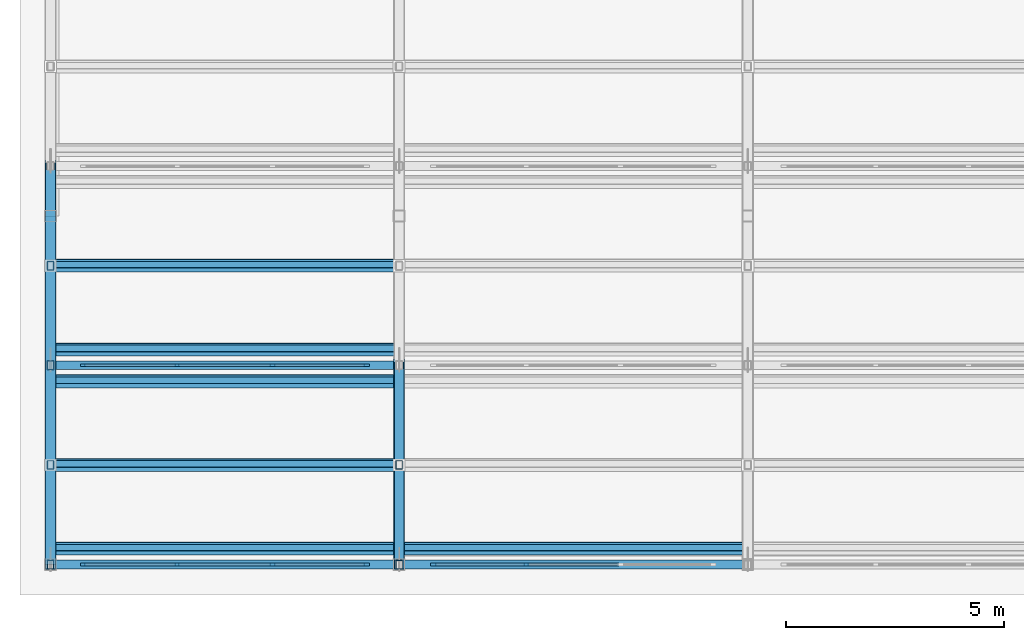
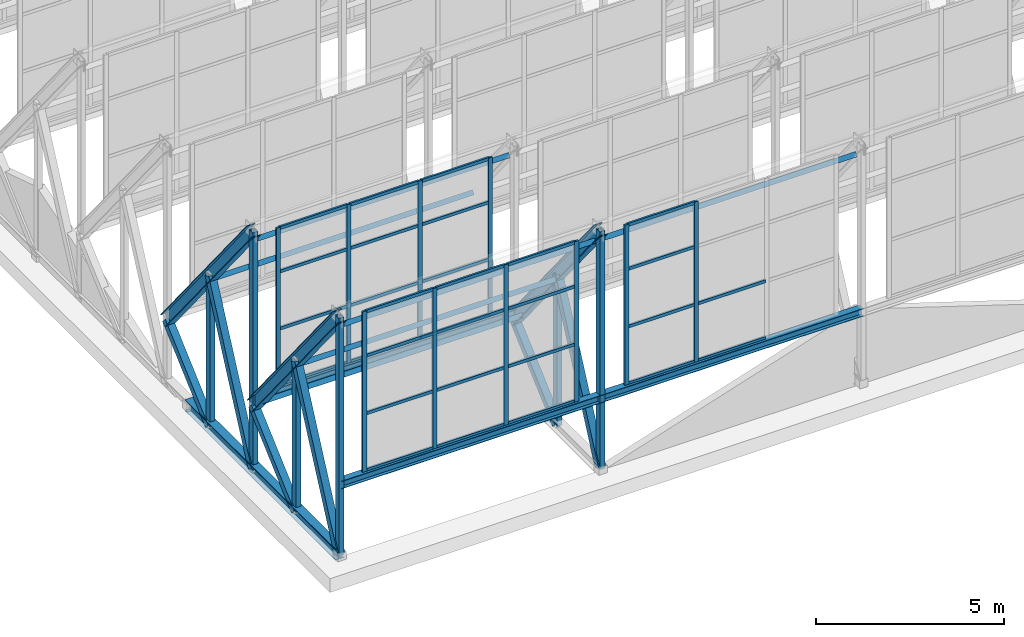
# One storey, part 6 of 34: 61 members, 4 beams, 3 elements without a shape of their own.
"""IFC4 building model written with IfcOpenShell, lengths in metres."""

from ifc_helpers import new_model, si_unit, direction, frame, origin, origin_2d, place, context, subcontext, project, spatial, rectangle, hollow_rectangle, i_section, extrude, material, layer, layer_set, material_profile, profile_set, type_object, element, aggregate, save


model = new_model("IFC4")

# Units and contexts
model_context = context("Model", 3, precision=1e-05, world=origin(), true_north=direction((0.0, 1.0)))
body_context = subcontext(model_context, "Body", "Model", "MODEL_VIEW")
ifc_project = project(units=[si_unit("LENGTHUNIT", "METRE"), si_unit("AREAUNIT", "SQUARE_METRE"), si_unit("VOLUMEUNIT", "CUBIC_METRE"), si_unit("PLANEANGLEUNIT", "RADIAN"), si_unit("MASSUNIT", "GRAM", prefix="KILO")], contexts=[model_context])

# Site, building, storey
site_placement = place(None, origin())
site = spatial("IfcSite", under=ifc_project, at=site_placement, CompositionType="ELEMENT")
building_placement = place(site_placement, origin())
building = spatial("IfcBuilding", under=site, at=building_placement, Name="Qorikala Patio Media Centre", CompositionType="ELEMENT")
storey_placement = place(building_placement, frame((0.0, 0.0, 32.699951171875)))
storey = spatial("IfcBuildingStorey", under=building, at=storey_placement, Name="RF", CompositionType="ELEMENT", Elevation=32.699951171875)

# Members
ifc_material_1 = material(Name="Steel S355", Category="steel")
ifc_material_profile_1 = material_profile(ifc_material_1, hollow_rectangle(XDim=0.219970703125, YDim=0.219970703125, WallThickness=0.010009765625, at=origin_2d()), Name="HSS220X220X10")
ifc_profile_set_1 = profile_set([ifc_material_profile_1], Name="Steel S355")
member_type_1 = type_object("IfcMemberType", Name="BRACE-HSS220", PredefinedType="BRACE", material=ifc_profile_set_1)
member_1_placement = place(storey_placement, frame((3.0, 3.0, 0.35009765625), z_axis=(0.0, 0.424508225487, 0.905424081022), x_axis=(-1.0, 0.0, 0.0)))
element("IfcMember", 1, at=member_1_placement, inside=storey, type_object=member_type_1, Name="SAW-V1 Truss 1 Bay 1 Web Diagonal 1", PredefinedType="BRACE", context=body_context, shape_type="SweptSolid", body=[
    extrude(hollow_rectangle(XDim=0.219970703125, YDim=0.219970703125, WallThickness=0.010009765625, at=origin_2d()), origin(), (0.0, 0.0, 1.0), 5.38427734375),
])
member_2_placement = place(storey_placement, frame((3.0, 5.28564453125, 0.35009765625), z_axis=(0.0, 0.744431778243, 0.667698530432), x_axis=(-1.0, 0.0, 0.0)))
element("IfcMember", 2, at=member_2_placement, inside=storey, type_object=member_type_1, Name="SAW-V1 Truss 1 Bay 1 Web Diagonal 2", PredefinedType="BRACE", context=body_context, shape_type="SweptSolid", body=[
    extrude(hollow_rectangle(XDim=0.219970703125, YDim=0.219970703125, WallThickness=0.010009765625, at=origin_2d()), origin(), (0.0, 0.0, 1.0), 3.0703125),
])
member_3_placement = place(storey_placement, frame((3.0, 7.5712890625, 0.35009765625), z_axis=(0.0, 0.424545396895, 0.90540665227), x_axis=(-1.0, 0.0, 0.0)))
element("IfcMember", 3, at=member_3_placement, inside=storey, type_object=member_type_1, Name="SAW-V1 Truss 1 Bay 2 Web Diagonal 1", PredefinedType="BRACE", context=body_context, shape_type="SweptSolid", body=[
    extrude(hollow_rectangle(XDim=0.219970703125, YDim=0.219970703125, WallThickness=0.010009765625, at=origin_2d()), origin(), (0.0, 0.0, 1.0), 5.38427734375),
])
member_4_placement = place(storey_placement, frame((3.0, 9.857177734375, 0.35009765625), z_axis=(0.0, 0.744431778243, 0.667698530432), x_axis=(-1.0, 0.0, 0.0)))
element("IfcMember", 4, at=member_4_placement, inside=storey, type_object=member_type_1, Name="SAW-V1 Truss 1 Bay 2 Web Diagonal 2", PredefinedType="BRACE", context=body_context, shape_type="SweptSolid", body=[
    extrude(hollow_rectangle(XDim=0.219970703125, YDim=0.219970703125, WallThickness=0.010009765625, at=origin_2d()), origin(), (0.0, 0.0, 1.0), 3.0703125),
])
member_5_placement = place(storey_placement, frame((11.0, 3.0, 0.35009765625), z_axis=(0.0, 0.424508225487, 0.905424081022), x_axis=(-1.0, 0.0, 0.0)))
element("IfcMember", 5, at=member_5_placement, inside=storey, type_object=member_type_1, Name="SAW-V1 Truss 2 Bay 1 Web Diagonal 1", PredefinedType="BRACE", context=body_context, shape_type="SweptSolid", body=[
    extrude(hollow_rectangle(XDim=0.219970703125, YDim=0.219970703125, WallThickness=0.010009765625, at=origin_2d()), origin(), (0.0, 0.0, 1.0), 5.38427734375),
])
member_6_placement = place(storey_placement, frame((11.0, 5.28564453125, 0.35009765625), z_axis=(0.0, 0.744431778243, 0.667698530432), x_axis=(-1.0, 0.0, 0.0)))
element("IfcMember", 6, at=member_6_placement, inside=storey, type_object=member_type_1, Name="SAW-V1 Truss 2 Bay 1 Web Diagonal 2", PredefinedType="BRACE", context=body_context, shape_type="SweptSolid", body=[
    extrude(hollow_rectangle(XDim=0.219970703125, YDim=0.219970703125, WallThickness=0.010009765625, at=origin_2d()), origin(), (0.0, 0.0, 1.0), 3.0703125),
])
ifc_material_profile_2 = material_profile(ifc_material_1, i_section(OverallWidth=0.257080078125, OverallDepth=0.363037109375, WebThickness=0.012939453125, FlangeThickness=0.021728515625, at=origin_2d()), Name="W360X122")
ifc_profile_set_2 = profile_set([ifc_material_profile_2], Name="Steel S355")
member_type_2 = type_object("IfcMemberType", Name="CHORD-W360X122", PredefinedType="CHORD", material=ifc_profile_set_2)
member_7_placement = place(storey_placement, frame((3.0, 3.0, 8.050048828125), z_axis=(0.0, 0.628995268707, -0.777409127773), x_axis=(-1.0, 0.0, 0.0)))
element("IfcMember", 7, at=member_7_placement, inside=storey, type_object=member_type_2, Name="SAW-V1 Truss 1 Bay 1 Sloped Top Chord", PredefinedType="CHORD", context=body_context, shape_type="SweptSolid", body=[
    extrude(i_section(OverallWidth=0.257080078125, OverallDepth=0.363037109375, WebThickness=0.012939453125, FlangeThickness=0.021728515625, at=origin_2d()), origin(), (0.0, 0.0, 1.0), 7.267578125),
])
member_8_placement = place(storey_placement, frame((3.0, 7.5712890625, 8.050048828125), z_axis=(0.0, 0.629015570493, -0.777392701327), x_axis=(-1.0, 0.0, 0.0)))
element("IfcMember", 8, at=member_8_placement, inside=storey, type_object=member_type_2, Name="SAW-V1 Truss 1 Bay 2 Sloped Top Chord", PredefinedType="CHORD", context=body_context, shape_type="SweptSolid", body=[
    extrude(i_section(OverallWidth=0.257080078125, OverallDepth=0.363037109375, WebThickness=0.012939453125, FlangeThickness=0.021728515625, at=origin_2d()), origin(), (0.0, 0.0, 1.0), 7.267822265625),
])
member_9_placement = place(storey_placement, frame((11.0, 3.0, 8.050048828125), z_axis=(0.0, 0.628995268707, -0.777409127773), x_axis=(-1.0, 0.0, 0.0)))
element("IfcMember", 9, at=member_9_placement, inside=storey, type_object=member_type_2, Name="SAW-V1 Truss 2 Bay 1 Sloped Top Chord", PredefinedType="CHORD", context=body_context, shape_type="SweptSolid", body=[
    extrude(i_section(OverallWidth=0.257080078125, OverallDepth=0.363037109375, WebThickness=0.012939453125, FlangeThickness=0.021728515625, at=origin_2d()), origin(), (0.0, 0.0, 1.0), 7.267578125),
])

# Curtain wall, members
ifc_material_2 = material(Name="Bronze Anodised Aluminium and Low-E Glass", Category="aluminium")
ifc_layer_1 = layer(ifc_material_2, 0.159912109375)
ifc_layer_set_1 = layer_set([ifc_layer_1], Name="Bronze Anodised Aluminium and Low-E Glass")
curtain_wall_type_1 = type_object("IfcCurtainWallType", Name="CW-SAW-656X520", PredefinedType="USERDEFINED", material=ifc_layer_set_1)
curtain_wall_1_placement = place(storey_placement, origin())
curtain_wall_1 = element("IfcCurtainWall", 10, at=curtain_wall_1_placement, inside=storey, type_object=curtain_wall_type_1, Name="RF Sawtooth Glazing 107", ObjectType="SAWTOOTH GLAZING", PredefinedType="USERDEFINED")
ifc_material_3 = material(Name="Bronze Anodised Aluminium", Category="aluminium")
ifc_material_profile_3 = material_profile(ifc_material_3, rectangle(XDim=0.06005859375, YDim=0.1298828125, at=origin_2d()), Name="ALU MULLION 60x130")
ifc_profile_set_3 = profile_set([ifc_material_profile_3], Name="Bronze Anodised Aluminium")
member_type_3 = type_object("IfcMemberType", Name="CWM-60X130", PredefinedType="MULLION", material=ifc_profile_set_3)
member_10_placement = place(storey_placement, frame((3.75, 3.0, 2.75), z_axis=(0.0, 0.0, 1.0), x_axis=(0.0, 1.0, 0.0)))
member_10 = element("IfcMember", 11, at=member_10_placement, type_object=member_type_3, Name="CWS656520 mullion 1", PredefinedType="MULLION", context=body_context, shape_type="SweptSolid", body=[
    extrude(rectangle(XDim=0.06005859375, YDim=0.1298828125, at=origin_2d()), origin(), (0.0, 0.0, 1.0), 5.199951171875),
])
member_11_placement = place(storey_placement, frame((5.90673828125, 3.0, 2.75), z_axis=(0.0, 0.0, 1.0), x_axis=(0.0, 1.0, 0.0)))
member_11 = element("IfcMember", 12, at=member_11_placement, type_object=member_type_3, Name="CWS656520 mullion 2", PredefinedType="MULLION", context=body_context, shape_type="SweptSolid", body=[
    extrude(rectangle(XDim=0.06005859375, YDim=0.1298828125, at=origin_2d()), origin(), (0.0, 0.0, 1.0), 5.199951171875),
])
member_12_placement = place(storey_placement, frame((8.09326171875, 3.0, 2.75), z_axis=(0.0, 0.0, 1.0), x_axis=(0.0, 1.0, 0.0)))
member_12 = element("IfcMember", 13, at=member_12_placement, type_object=member_type_3, Name="CWS656520 mullion 3", PredefinedType="MULLION", context=body_context, shape_type="SweptSolid", body=[
    extrude(rectangle(XDim=0.06005859375, YDim=0.1298828125, at=origin_2d()), origin(), (0.0, 0.0, 1.0), 5.199951171875),
])
member_13_placement = place(storey_placement, frame((10.25, 3.0, 2.75), z_axis=(0.0, 0.0, 1.0), x_axis=(0.0, 1.0, 0.0)))
member_13 = element("IfcMember", 14, at=member_13_placement, type_object=member_type_3, Name="CWS656520 mullion 4", PredefinedType="MULLION", context=body_context, shape_type="SweptSolid", body=[
    extrude(rectangle(XDim=0.06005859375, YDim=0.1298828125, at=origin_2d()), origin(), (0.0, 0.0, 1.0), 5.199951171875),
])

ifc_layer_2 = layer(ifc_material_2, 0.159912109375)
ifc_layer_set_2 = layer_set([ifc_layer_2], Name="Bronze Anodised Aluminium and Low-E Glass")
curtain_wall_type_2 = type_object("IfcCurtainWallType", Name="CW-SAW-648X520", PredefinedType="USERDEFINED", material=ifc_layer_set_2)
curtain_wall_2_placement = place(storey_placement, origin())
curtain_wall_2 = element("IfcCurtainWall", 15, at=curtain_wall_2_placement, inside=storey, type_object=curtain_wall_type_2, Name="RF Sawtooth Glazing 108", ObjectType="SAWTOOTH GLAZING", PredefinedType="USERDEFINED")
member_14_placement = place(storey_placement, frame((11.7900390625, 3.0, 2.75), z_axis=(0.0, 0.0, 1.0), x_axis=(0.0, 1.0, 0.0)))
member_14 = element("IfcMember", 16, at=member_14_placement, type_object=member_type_3, Name="CWS648520 mullion 1", PredefinedType="MULLION", context=body_context, shape_type="SweptSolid", body=[
    extrude(rectangle(XDim=0.06005859375, YDim=0.1298828125, at=origin_2d()), origin(), (0.0, 0.0, 1.0), 5.199951171875),
])
member_15_placement = place(storey_placement, frame((13.919921875, 3.0, 2.75), z_axis=(0.0, 0.0, 1.0), x_axis=(0.0, 1.0, 0.0)))
member_15 = element("IfcMember", 17, at=member_15_placement, type_object=member_type_3, Name="CWS648520 mullion 2", PredefinedType="MULLION", context=body_context, shape_type="SweptSolid", body=[
    extrude(rectangle(XDim=0.06005859375, YDim=0.1298828125, at=origin_2d()), origin(), (0.0, 0.0, 1.0), 5.199951171875),
])

ifc_layer_3 = layer(ifc_material_2, 0.159912109375)
ifc_layer_set_3 = layer_set([ifc_layer_3], Name="Bronze Anodised Aluminium and Low-E Glass")
curtain_wall_type_3 = type_object("IfcCurtainWallType", Name="CW-SAW-656X514", PredefinedType="USERDEFINED", material=ifc_layer_set_3)
curtain_wall_3_placement = place(storey_placement, origin())
curtain_wall_3 = element("IfcCurtainWall", 18, at=curtain_wall_3_placement, inside=storey, type_object=curtain_wall_type_3, Name="RF Sawtooth Glazing 112", ObjectType="SAWTOOTH GLAZING", PredefinedType="USERDEFINED")
member_16_placement = place(storey_placement, frame((3.75, 7.5712890625, 2.75), z_axis=(0.0, 0.0, 1.0), x_axis=(0.0, 1.0, 0.0)))
member_16 = element("IfcMember", 19, at=member_16_placement, type_object=member_type_3, Name="CWS656514 mullion 1", PredefinedType="MULLION", context=body_context, shape_type="SweptSolid", body=[
    extrude(rectangle(XDim=0.06005859375, YDim=0.1298828125, at=origin_2d()), origin(), (0.0, 0.0, 1.0), 5.14013671875),
])
member_17_placement = place(storey_placement, frame((5.90673828125, 7.5712890625, 2.75), z_axis=(0.0, 0.0, 1.0), x_axis=(0.0, 1.0, 0.0)))
member_17 = element("IfcMember", 20, at=member_17_placement, type_object=member_type_3, Name="CWS656514 mullion 2", PredefinedType="MULLION", context=body_context, shape_type="SweptSolid", body=[
    extrude(rectangle(XDim=0.06005859375, YDim=0.1298828125, at=origin_2d()), origin(), (0.0, 0.0, 1.0), 5.14013671875),
])
member_18_placement = place(storey_placement, frame((8.09326171875, 7.5712890625, 2.75), z_axis=(0.0, 0.0, 1.0), x_axis=(0.0, 1.0, 0.0)))
member_18 = element("IfcMember", 21, at=member_18_placement, type_object=member_type_3, Name="CWS656514 mullion 3", PredefinedType="MULLION", context=body_context, shape_type="SweptSolid", body=[
    extrude(rectangle(XDim=0.06005859375, YDim=0.1298828125, at=origin_2d()), origin(), (0.0, 0.0, 1.0), 5.14013671875),
])
member_19_placement = place(storey_placement, frame((10.25, 7.5712890625, 2.75), z_axis=(0.0, 0.0, 1.0), x_axis=(0.0, 1.0, 0.0)))
member_19 = element("IfcMember", 22, at=member_19_placement, type_object=member_type_3, Name="CWS656514 mullion 4", PredefinedType="MULLION", context=body_context, shape_type="SweptSolid", body=[
    extrude(rectangle(XDim=0.06005859375, YDim=0.1298828125, at=origin_2d()), origin(), (0.0, 0.0, 1.0), 5.14013671875),
])

# Member
ifc_material_profile_4 = material_profile(ifc_material_3, rectangle(XDim=0.06005859375, YDim=0.10009765625, at=origin_2d()), Name="ALU TRANSOM 60x100")
ifc_profile_set_4 = profile_set([ifc_material_profile_4], Name="Bronze Anodised Aluminium")
member_type_4 = type_object("IfcMemberType", Name="CWT-60X100", PredefinedType="USERDEFINED", material=ifc_profile_set_4)
member_20_placement = place(storey_placement, frame((3.780029296875, 3.0, 2.780029296875), z_axis=(1.0, 0.0, 0.0), x_axis=(0.0, 1.0, 0.0)))
member_20 = element("IfcMember", 23, at=member_20_placement, type_object=member_type_4, Name="CWS656520 transom 1.1", ObjectType="TRANSOM", PredefinedType="USERDEFINED", context=body_context, shape_type="SweptSolid", body=[
    extrude(rectangle(XDim=0.06005859375, YDim=0.10009765625, at=origin_2d()), origin(), (0.0, 0.0, 1.0), 2.0966796875),
])

member_21_placement = place(storey_placement, frame((3.780029296875, 3.0, 4.6220703125), z_axis=(1.0, 0.0, 0.0), x_axis=(0.0, 1.0, 0.0)))
member_21 = element("IfcMember", 24, at=member_21_placement, type_object=member_type_4, Name="CWS656520 transom 1.2", ObjectType="TRANSOM", PredefinedType="USERDEFINED", context=body_context, shape_type="SweptSolid", body=[
    extrude(rectangle(XDim=0.06005859375, YDim=0.10009765625, at=origin_2d()), origin(), (0.0, 0.0, 1.0), 2.0966796875),
])

member_22_placement = place(storey_placement, frame((3.780029296875, 3.0, 6.494140625), z_axis=(1.0, 0.0, 0.0), x_axis=(0.0, 1.0, 0.0)))
member_22 = element("IfcMember", 25, at=member_22_placement, type_object=member_type_4, Name="CWS656520 transom 1.3", ObjectType="TRANSOM", PredefinedType="USERDEFINED", context=body_context, shape_type="SweptSolid", body=[
    extrude(rectangle(XDim=0.06005859375, YDim=0.10009765625, at=origin_2d()), origin(), (0.0, 0.0, 1.0), 2.0966796875),
])

member_23_placement = place(storey_placement, frame((3.780029296875, 3.0, 7.920166015625), z_axis=(1.0, 0.0, 0.0), x_axis=(0.0, 1.0, 0.0)))
member_23 = element("IfcMember", 26, at=member_23_placement, type_object=member_type_4, Name="CWS656520 transom 1.4", ObjectType="TRANSOM", PredefinedType="USERDEFINED", context=body_context, shape_type="SweptSolid", body=[
    extrude(rectangle(XDim=0.06005859375, YDim=0.10009765625, at=origin_2d()), origin(), (0.0, 0.0, 1.0), 2.0966796875),
])

member_24_placement = place(storey_placement, frame((5.936767578125, 3.0, 2.780029296875), z_axis=(1.0, 0.0, 0.0), x_axis=(0.0, 1.0, 0.0)))
member_24 = element("IfcMember", 27, at=member_24_placement, type_object=member_type_4, Name="CWS656520 transom 2.1", ObjectType="TRANSOM", PredefinedType="USERDEFINED", context=body_context, shape_type="SweptSolid", body=[
    extrude(rectangle(XDim=0.06005859375, YDim=0.10009765625, at=origin_2d()), origin(), (0.0, 0.0, 1.0), 2.12646484375),
])

member_25_placement = place(storey_placement, frame((5.936767578125, 3.0, 4.6220703125), z_axis=(1.0, 0.0, 0.0), x_axis=(0.0, 1.0, 0.0)))
member_25 = element("IfcMember", 28, at=member_25_placement, type_object=member_type_4, Name="CWS656520 transom 2.2", ObjectType="TRANSOM", PredefinedType="USERDEFINED", context=body_context, shape_type="SweptSolid", body=[
    extrude(rectangle(XDim=0.06005859375, YDim=0.10009765625, at=origin_2d()), origin(), (0.0, 0.0, 1.0), 2.12646484375),
])

member_26_placement = place(storey_placement, frame((5.936767578125, 3.0, 6.494140625), z_axis=(1.0, 0.0, 0.0), x_axis=(0.0, 1.0, 0.0)))
member_26 = element("IfcMember", 29, at=member_26_placement, type_object=member_type_4, Name="CWS656520 transom 2.3", ObjectType="TRANSOM", PredefinedType="USERDEFINED", context=body_context, shape_type="SweptSolid", body=[
    extrude(rectangle(XDim=0.06005859375, YDim=0.10009765625, at=origin_2d()), origin(), (0.0, 0.0, 1.0), 2.12646484375),
])

member_27_placement = place(storey_placement, frame((5.936767578125, 3.0, 7.920166015625), z_axis=(1.0, 0.0, 0.0), x_axis=(0.0, 1.0, 0.0)))
member_27 = element("IfcMember", 30, at=member_27_placement, type_object=member_type_4, Name="CWS656520 transom 2.4", ObjectType="TRANSOM", PredefinedType="USERDEFINED", context=body_context, shape_type="SweptSolid", body=[
    extrude(rectangle(XDim=0.06005859375, YDim=0.10009765625, at=origin_2d()), origin(), (0.0, 0.0, 1.0), 2.12646484375),
])

member_28_placement = place(storey_placement, frame((8.123291015625, 3.0, 2.780029296875), z_axis=(1.0, 0.0, 0.0), x_axis=(0.0, 1.0, 0.0)))
member_28 = element("IfcMember", 31, at=member_28_placement, type_object=member_type_4, Name="CWS656520 transom 3.1", ObjectType="TRANSOM", PredefinedType="USERDEFINED", context=body_context, shape_type="SweptSolid", body=[
    extrude(rectangle(XDim=0.06005859375, YDim=0.10009765625, at=origin_2d()), origin(), (0.0, 0.0, 1.0), 2.0966796875),
])

member_29_placement = place(storey_placement, frame((8.123291015625, 3.0, 4.6220703125), z_axis=(1.0, 0.0, 0.0), x_axis=(0.0, 1.0, 0.0)))
member_29 = element("IfcMember", 32, at=member_29_placement, type_object=member_type_4, Name="CWS656520 transom 3.2", ObjectType="TRANSOM", PredefinedType="USERDEFINED", context=body_context, shape_type="SweptSolid", body=[
    extrude(rectangle(XDim=0.06005859375, YDim=0.10009765625, at=origin_2d()), origin(), (0.0, 0.0, 1.0), 2.0966796875),
])

member_30_placement = place(storey_placement, frame((8.123291015625, 3.0, 6.494140625), z_axis=(1.0, 0.0, 0.0), x_axis=(0.0, 1.0, 0.0)))
member_30 = element("IfcMember", 33, at=member_30_placement, type_object=member_type_4, Name="CWS656520 transom 3.3", ObjectType="TRANSOM", PredefinedType="USERDEFINED", context=body_context, shape_type="SweptSolid", body=[
    extrude(rectangle(XDim=0.06005859375, YDim=0.10009765625, at=origin_2d()), origin(), (0.0, 0.0, 1.0), 2.0966796875),
])

member_31_placement = place(storey_placement, frame((8.123291015625, 3.0, 7.920166015625), z_axis=(1.0, 0.0, 0.0), x_axis=(0.0, 1.0, 0.0)))
member_31 = element("IfcMember", 34, at=member_31_placement, type_object=member_type_4, Name="CWS656520 transom 3.4", ObjectType="TRANSOM", PredefinedType="USERDEFINED", context=body_context, shape_type="SweptSolid", body=[
    extrude(rectangle(XDim=0.06005859375, YDim=0.10009765625, at=origin_2d()), origin(), (0.0, 0.0, 1.0), 2.0966796875),
])

aggregate(curtain_wall_1, [member_10, member_11, member_12, member_13, member_20, member_21, member_22, member_23, member_24, member_25, member_26, member_27, member_28, member_29, member_30, member_31])

member_32_placement = place(storey_placement, frame((11.820068359375, 3.0, 2.780029296875), z_axis=(1.0, 0.0, 0.0), x_axis=(0.0, 1.0, 0.0)))
member_32 = element("IfcMember", 35, at=member_32_placement, type_object=member_type_4, Name="CWS648520 transom 1.1", ObjectType="TRANSOM", PredefinedType="USERDEFINED", context=body_context, shape_type="SweptSolid", body=[
    extrude(rectangle(XDim=0.06005859375, YDim=0.10009765625, at=origin_2d()), origin(), (0.0, 0.0, 1.0), 2.06982421875),
])

member_33_placement = place(storey_placement, frame((11.820068359375, 3.0, 4.6220703125), z_axis=(1.0, 0.0, 0.0), x_axis=(0.0, 1.0, 0.0)))
member_33 = element("IfcMember", 36, at=member_33_placement, type_object=member_type_4, Name="CWS648520 transom 1.2", ObjectType="TRANSOM", PredefinedType="USERDEFINED", context=body_context, shape_type="SweptSolid", body=[
    extrude(rectangle(XDim=0.06005859375, YDim=0.10009765625, at=origin_2d()), origin(), (0.0, 0.0, 1.0), 2.06982421875),
])

member_34_placement = place(storey_placement, frame((11.820068359375, 3.0, 6.494140625), z_axis=(1.0, 0.0, 0.0), x_axis=(0.0, 1.0, 0.0)))
member_34 = element("IfcMember", 37, at=member_34_placement, type_object=member_type_4, Name="CWS648520 transom 1.3", ObjectType="TRANSOM", PredefinedType="USERDEFINED", context=body_context, shape_type="SweptSolid", body=[
    extrude(rectangle(XDim=0.06005859375, YDim=0.10009765625, at=origin_2d()), origin(), (0.0, 0.0, 1.0), 2.06982421875),
])

member_35_placement = place(storey_placement, frame((11.820068359375, 3.0, 7.920166015625), z_axis=(1.0, 0.0, 0.0), x_axis=(0.0, 1.0, 0.0)))
member_35 = element("IfcMember", 38, at=member_35_placement, type_object=member_type_4, Name="CWS648520 transom 1.4", ObjectType="TRANSOM", PredefinedType="USERDEFINED", context=body_context, shape_type="SweptSolid", body=[
    extrude(rectangle(XDim=0.06005859375, YDim=0.10009765625, at=origin_2d()), origin(), (0.0, 0.0, 1.0), 2.06982421875),
])

member_36_placement = place(storey_placement, frame((13.949951171875, 3.0, 2.780029296875), z_axis=(1.0, 0.0, 0.0), x_axis=(0.0, 1.0, 0.0)))
member_36 = element("IfcMember", 39, at=member_36_placement, type_object=member_type_4, Name="CWS648520 transom 2.1", ObjectType="TRANSOM", PredefinedType="USERDEFINED", context=body_context, shape_type="SweptSolid", body=[
    extrude(rectangle(XDim=0.06005859375, YDim=0.10009765625, at=origin_2d()), origin(), (0.0, 0.0, 1.0), 2.10009765625),
])

member_37_placement = place(storey_placement, frame((13.949951171875, 3.0, 4.6220703125), z_axis=(1.0, 0.0, 0.0), x_axis=(0.0, 1.0, 0.0)))
member_37 = element("IfcMember", 40, at=member_37_placement, type_object=member_type_4, Name="CWS648520 transom 2.2", ObjectType="TRANSOM", PredefinedType="USERDEFINED", context=body_context, shape_type="SweptSolid", body=[
    extrude(rectangle(XDim=0.06005859375, YDim=0.10009765625, at=origin_2d()), origin(), (0.0, 0.0, 1.0), 2.10009765625),
])

aggregate(curtain_wall_2, [member_14, member_15, member_32, member_33, member_34, member_35, member_36, member_37])

member_38_placement = place(storey_placement, frame((3.780029296875, 7.5712890625, 2.780029296875), z_axis=(1.0, 0.0, 0.0), x_axis=(0.0, 1.0, 0.0)))
member_38 = element("IfcMember", 41, at=member_38_placement, type_object=member_type_4, Name="CWS656514 transom 1.1", ObjectType="TRANSOM", PredefinedType="USERDEFINED", context=body_context, shape_type="SweptSolid", body=[
    extrude(rectangle(XDim=0.06005859375, YDim=0.10009765625, at=origin_2d()), origin(), (0.0, 0.0, 1.0), 2.0966796875),
])

member_39_placement = place(storey_placement, frame((3.780029296875, 7.5712890625, 4.600341796875), z_axis=(1.0, 0.0, 0.0), x_axis=(0.0, 1.0, 0.0)))
member_39 = element("IfcMember", 42, at=member_39_placement, type_object=member_type_4, Name="CWS656514 transom 1.2", ObjectType="TRANSOM", PredefinedType="USERDEFINED", context=body_context, shape_type="SweptSolid", body=[
    extrude(rectangle(XDim=0.06005859375, YDim=0.10009765625, at=origin_2d()), origin(), (0.0, 0.0, 1.0), 2.0966796875),
])

member_40_placement = place(storey_placement, frame((3.780029296875, 7.5712890625, 6.450927734375), z_axis=(1.0, 0.0, 0.0), x_axis=(0.0, 1.0, 0.0)))
member_40 = element("IfcMember", 43, at=member_40_placement, type_object=member_type_4, Name="CWS656514 transom 1.3", ObjectType="TRANSOM", PredefinedType="USERDEFINED", context=body_context, shape_type="SweptSolid", body=[
    extrude(rectangle(XDim=0.06005859375, YDim=0.10009765625, at=origin_2d()), origin(), (0.0, 0.0, 1.0), 2.0966796875),
])

member_41_placement = place(storey_placement, frame((3.780029296875, 7.5712890625, 7.860107421875), z_axis=(1.0, 0.0, 0.0), x_axis=(0.0, 1.0, 0.0)))
member_41 = element("IfcMember", 44, at=member_41_placement, type_object=member_type_4, Name="CWS656514 transom 1.4", ObjectType="TRANSOM", PredefinedType="USERDEFINED", context=body_context, shape_type="SweptSolid", body=[
    extrude(rectangle(XDim=0.06005859375, YDim=0.10009765625, at=origin_2d()), origin(), (0.0, 0.0, 1.0), 2.0966796875),
])

member_42_placement = place(storey_placement, frame((5.936767578125, 7.5712890625, 2.780029296875), z_axis=(1.0, 0.0, 0.0), x_axis=(0.0, 1.0, 0.0)))
member_42 = element("IfcMember", 45, at=member_42_placement, type_object=member_type_4, Name="CWS656514 transom 2.1", ObjectType="TRANSOM", PredefinedType="USERDEFINED", context=body_context, shape_type="SweptSolid", body=[
    extrude(rectangle(XDim=0.06005859375, YDim=0.10009765625, at=origin_2d()), origin(), (0.0, 0.0, 1.0), 2.12646484375),
])

member_43_placement = place(storey_placement, frame((5.936767578125, 7.5712890625, 4.600341796875), z_axis=(1.0, 0.0, 0.0), x_axis=(0.0, 1.0, 0.0)))
member_43 = element("IfcMember", 46, at=member_43_placement, type_object=member_type_4, Name="CWS656514 transom 2.2", ObjectType="TRANSOM", PredefinedType="USERDEFINED", context=body_context, shape_type="SweptSolid", body=[
    extrude(rectangle(XDim=0.06005859375, YDim=0.10009765625, at=origin_2d()), origin(), (0.0, 0.0, 1.0), 2.12646484375),
])

member_44_placement = place(storey_placement, frame((5.936767578125, 7.5712890625, 6.450927734375), z_axis=(1.0, 0.0, 0.0), x_axis=(0.0, 1.0, 0.0)))
member_44 = element("IfcMember", 47, at=member_44_placement, type_object=member_type_4, Name="CWS656514 transom 2.3", ObjectType="TRANSOM", PredefinedType="USERDEFINED", context=body_context, shape_type="SweptSolid", body=[
    extrude(rectangle(XDim=0.06005859375, YDim=0.10009765625, at=origin_2d()), origin(), (0.0, 0.0, 1.0), 2.12646484375),
])

member_45_placement = place(storey_placement, frame((5.936767578125, 7.5712890625, 7.860107421875), z_axis=(1.0, 0.0, 0.0), x_axis=(0.0, 1.0, 0.0)))
member_45 = element("IfcMember", 48, at=member_45_placement, type_object=member_type_4, Name="CWS656514 transom 2.4", ObjectType="TRANSOM", PredefinedType="USERDEFINED", context=body_context, shape_type="SweptSolid", body=[
    extrude(rectangle(XDim=0.06005859375, YDim=0.10009765625, at=origin_2d()), origin(), (0.0, 0.0, 1.0), 2.12646484375),
])

member_46_placement = place(storey_placement, frame((8.123291015625, 7.5712890625, 2.780029296875), z_axis=(1.0, 0.0, 0.0), x_axis=(0.0, 1.0, 0.0)))
member_46 = element("IfcMember", 49, at=member_46_placement, type_object=member_type_4, Name="CWS656514 transom 3.1", ObjectType="TRANSOM", PredefinedType="USERDEFINED", context=body_context, shape_type="SweptSolid", body=[
    extrude(rectangle(XDim=0.06005859375, YDim=0.10009765625, at=origin_2d()), origin(), (0.0, 0.0, 1.0), 2.0966796875),
])

member_47_placement = place(storey_placement, frame((8.123291015625, 7.5712890625, 4.600341796875), z_axis=(1.0, 0.0, 0.0), x_axis=(0.0, 1.0, 0.0)))
member_47 = element("IfcMember", 50, at=member_47_placement, type_object=member_type_4, Name="CWS656514 transom 3.2", ObjectType="TRANSOM", PredefinedType="USERDEFINED", context=body_context, shape_type="SweptSolid", body=[
    extrude(rectangle(XDim=0.06005859375, YDim=0.10009765625, at=origin_2d()), origin(), (0.0, 0.0, 1.0), 2.0966796875),
])

member_48_placement = place(storey_placement, frame((8.123291015625, 7.5712890625, 6.450927734375), z_axis=(1.0, 0.0, 0.0), x_axis=(0.0, 1.0, 0.0)))
member_48 = element("IfcMember", 51, at=member_48_placement, type_object=member_type_4, Name="CWS656514 transom 3.3", ObjectType="TRANSOM", PredefinedType="USERDEFINED", context=body_context, shape_type="SweptSolid", body=[
    extrude(rectangle(XDim=0.06005859375, YDim=0.10009765625, at=origin_2d()), origin(), (0.0, 0.0, 1.0), 2.0966796875),
])

member_49_placement = place(storey_placement, frame((8.123291015625, 7.5712890625, 7.860107421875), z_axis=(1.0, 0.0, 0.0), x_axis=(0.0, 1.0, 0.0)))
member_49 = element("IfcMember", 52, at=member_49_placement, type_object=member_type_4, Name="CWS656514 transom 3.4", ObjectType="TRANSOM", PredefinedType="USERDEFINED", context=body_context, shape_type="SweptSolid", body=[
    extrude(rectangle(XDim=0.06005859375, YDim=0.10009765625, at=origin_2d()), origin(), (0.0, 0.0, 1.0), 2.0966796875),
])

aggregate(curtain_wall_3, [member_16, member_17, member_18, member_19, member_38, member_39, member_40, member_41, member_42, member_43, member_44, member_45, member_46, member_47, member_48, member_49])

# Members
ifc_material_profile_5 = material_profile(ifc_material_1, i_section(OverallWidth=0.14794921875, OverallDepth=0.26611328125, WebThickness=0.007568359375, FlangeThickness=0.012939453125, at=origin_2d()), Name="W250X45")
ifc_profile_set_5 = profile_set([ifc_material_profile_5], Name="Steel S355")
member_type_5 = type_object("IfcMemberType", Name="PURLIN-W250X45", PredefinedType="PURLIN", material=ifc_profile_set_5)
for number, where, z_axis, x_axis, name in (
    (53, (3.0, 3.36572265625, 7.450439453125), (1.0, 0.0, 0.0), (0.0, 0.62899480571, 0.777409502379), "SAW-V1 Bay 1 Roof Purlin"),
    (54, (11.0, 3.36572265625, 7.450439453125), (1.0, 0.0, 0.0), (0.0, 0.62899480571, 0.777409502379), "SAW-V1 Bay 1 Roof Purlin"),
    (55, (3.0, 5.28564453125, 5.077392578125), (1.0, 0.0, 0.0), (0.0, 0.62899480571, 0.777409502379), "SAW-V1 Bay 1 Roof Purlin"),
    (56, (3.0, 7.205810546875, 2.704345703125), (1.0, 0.0, 0.0), (0.0, 0.62899480571, 0.777409502379), "SAW-V1 Bay 1 Roof Purlin"),
    (57, (3.0, 7.93701171875, 7.450439453125), (1.0, 0.0, 0.0), (0.0, 0.62899480571, 0.777409502379), "SAW-V1 Bay 2 Roof Purlin"),
    (58, (3.0, 9.857177734375, 5.077392578125), (1.0, 0.0, 0.0), (0.0, 0.62899480571, 0.777409502379), "SAW-V1 Bay 2 Roof Purlin"),
):
    element("IfcMember", number, at=place(storey_placement, frame(where, z_axis=z_axis, x_axis=x_axis)), inside=storey, type_object=member_type_5, Name=name, PredefinedType="PURLIN", context=body_context, shape_type="SweptSolid", body=[
        extrude(i_section(OverallWidth=0.14794921875, OverallDepth=0.26611328125, WebThickness=0.007568359375, FlangeThickness=0.012939453125, at=origin_2d()), origin(), (0.0, 0.0, 1.0), 8.0),
    ])

# Beams
ifc_material_profile_6 = material_profile(ifc_material_1, i_section(OverallWidth=0.202880859375, OverallDepth=0.251953125, WebThickness=0.008056640625, FlangeThickness=0.013427734375, at=origin_2d()), Name="W250X58")
ifc_profile_set_6 = profile_set([ifc_material_profile_6], Name="Steel S355")
beam_type_1 = type_object("IfcBeamType", Name="SBM-W250X58", PredefinedType="BEAM", material=ifc_profile_set_6)
for number, where, z_axis, x_axis, name in (
    (59, (3.0, 3.0, 2.625), (1.0, 0.0, 0.0), (0.0, 1.0, 0.0), "Sawtooth V1 Clerestory Sill Beam 1.1"),
    (60, (11.0, 3.0, 2.625), (1.0, 0.0, 0.0), (0.0, 1.0, 0.0), "Sawtooth V1 Clerestory Sill Beam 1.2"),
    (61, (3.0, 7.5712890625, 2.625), (1.0, 0.0, 0.0), (0.0, 1.0, 0.0), "Sawtooth V1 Clerestory Sill Beam 2.1"),
):
    element("IfcBeam", number, at=place(storey_placement, frame(where, z_axis=z_axis, x_axis=x_axis)), inside=storey, type_object=beam_type_1, Name=name, PredefinedType="BEAM", context=body_context, shape_type="SweptSolid", body=[
        extrude(i_section(OverallWidth=0.202880859375, OverallDepth=0.251953125, WebThickness=0.008056640625, FlangeThickness=0.013427734375, at=origin_2d()), origin(), (0.0, 0.0, 1.0), 8.0),
    ])
ifc_material_profile_7 = material_profile(ifc_material_1, i_section(OverallWidth=0.257080078125, OverallDepth=0.363037109375, WebThickness=0.012939453125, FlangeThickness=0.021728515625, at=origin_2d()), Name="W360X122")
ifc_profile_set_7 = profile_set([ifc_material_profile_7], Name="Steel S355")
beam_type_2 = type_object("IfcBeamType", Name="SBM-W360X122", PredefinedType="BEAM", material=ifc_profile_set_7)
beam_placement = place(storey_placement, frame((3.0, 3.0, 0.35009765625), z_axis=(0.0, 1.0, 0.0), x_axis=(-1.0, 0.0, 0.0)))
element("IfcBeam", 62, at=beam_placement, inside=storey, type_object=beam_type_2, Name="SAW-V1 Longitudinal Truss Tie Girder X=3", PredefinedType="BEAM", context=body_context, shape_type="SweptSolid", body=[
    extrude(i_section(OverallWidth=0.257080078125, OverallDepth=0.363037109375, WebThickness=0.012939453125, FlangeThickness=0.021728515625, at=origin_2d()), origin(), (0.0, 0.0, 1.0), 8.0),
])

# Members
ifc_material_profile_8 = material_profile(ifc_material_1, hollow_rectangle(XDim=0.14990234375, YDim=0.199951171875, WallThickness=0.008056640625, at=origin_2d()), Name="HSS200X150X8")
ifc_profile_set_8 = profile_set([ifc_material_profile_8], Name="Steel S355")
member_type_6 = type_object("IfcMemberType", Name="STRUT-HSS200", PredefinedType="STRUT", material=ifc_profile_set_8)
member_50_placement = place(storey_placement, frame((3.0, 3.0, 0.35009765625), z_axis=(0.0, 0.0, 1.0), x_axis=(1.0, 0.0, 0.0)))
element("IfcMember", 63, at=member_50_placement, inside=storey, type_object=member_type_6, Name="SAW-V1 Truss 1 Bay 1 Clerestory Post", PredefinedType="STRUT", context=body_context, shape_type="SweptSolid", body=[
    extrude(hollow_rectangle(XDim=0.14990234375, YDim=0.199951171875, WallThickness=0.008056640625, at=origin_2d()), origin(), (0.0, 0.0, 1.0), 7.699951171875),
])
member_51_placement = place(storey_placement, frame((3.0, 5.28564453125, 0.35009765625), z_axis=(0.0, 0.0, 1.0), x_axis=(1.0, 0.0, 0.0)))
element("IfcMember", 64, at=member_51_placement, inside=storey, type_object=member_type_6, Name="SAW-V1 Truss 1 Bay 1 Mid Strut", PredefinedType="STRUT", context=body_context, shape_type="SweptSolid", body=[
    extrude(hollow_rectangle(XDim=0.14990234375, YDim=0.199951171875, WallThickness=0.008056640625, at=origin_2d()), origin(), (0.0, 0.0, 1.0), 4.875),
])
member_52_placement = place(storey_placement, frame((3.0, 7.5712890625, 0.35009765625), z_axis=(0.0, 0.0, 1.0), x_axis=(1.0, 0.0, 0.0)))
element("IfcMember", 65, at=member_52_placement, inside=storey, type_object=member_type_6, Name="SAW-V1 Truss 1 Bay 2 Clerestory Post", PredefinedType="STRUT", context=body_context, shape_type="SweptSolid", body=[
    extrude(hollow_rectangle(XDim=0.14990234375, YDim=0.199951171875, WallThickness=0.008056640625, at=origin_2d()), origin(), (0.0, 0.0, 1.0), 7.699951171875),
])
member_53_placement = place(storey_placement, frame((3.0, 9.857177734375, 0.35009765625), z_axis=(0.0, 0.0, 1.0), x_axis=(1.0, 0.0, 0.0)))
element("IfcMember", 66, at=member_53_placement, inside=storey, type_object=member_type_6, Name="SAW-V1 Truss 1 Bay 2 Mid Strut", PredefinedType="STRUT", context=body_context, shape_type="SweptSolid", body=[
    extrude(hollow_rectangle(XDim=0.14990234375, YDim=0.199951171875, WallThickness=0.008056640625, at=origin_2d()), origin(), (0.0, 0.0, 1.0), 4.875),
])
member_54_placement = place(storey_placement, frame((11.0, 3.0, 0.35009765625), z_axis=(0.0, 0.0, 1.0), x_axis=(1.0, 0.0, 0.0)))
element("IfcMember", 67, at=member_54_placement, inside=storey, type_object=member_type_6, Name="SAW-V1 Truss 2 Bay 1 Clerestory Post", PredefinedType="STRUT", context=body_context, shape_type="SweptSolid", body=[
    extrude(hollow_rectangle(XDim=0.14990234375, YDim=0.199951171875, WallThickness=0.008056640625, at=origin_2d()), origin(), (0.0, 0.0, 1.0), 7.699951171875),
])
member_55_placement = place(storey_placement, frame((11.0, 5.28564453125, 0.35009765625), z_axis=(0.0, 0.0, 1.0), x_axis=(1.0, 0.0, 0.0)))
element("IfcMember", 68, at=member_55_placement, inside=storey, type_object=member_type_6, Name="SAW-V1 Truss 2 Bay 1 Mid Strut", PredefinedType="STRUT", context=body_context, shape_type="SweptSolid", body=[
    extrude(hollow_rectangle(XDim=0.14990234375, YDim=0.199951171875, WallThickness=0.008056640625, at=origin_2d()), origin(), (0.0, 0.0, 1.0), 4.875),
])

save(model, "model.ifc")
